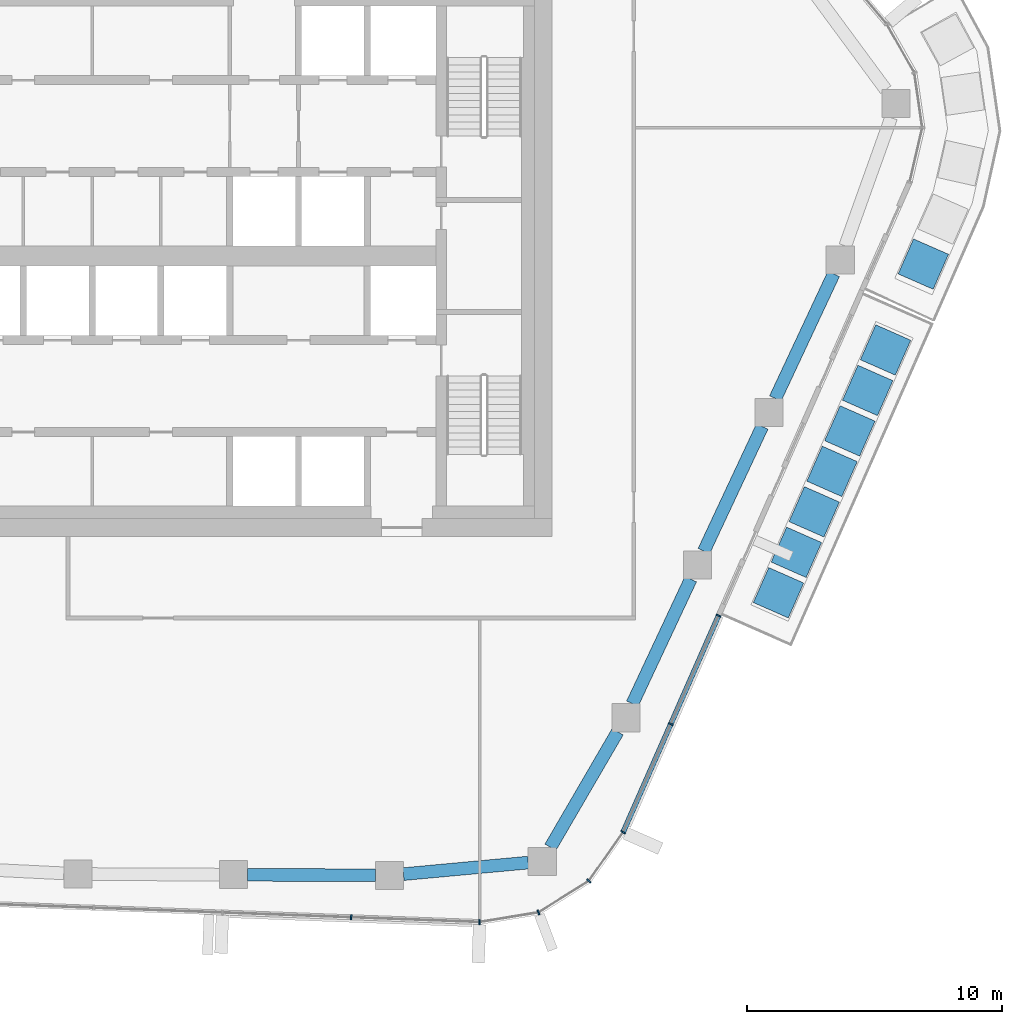
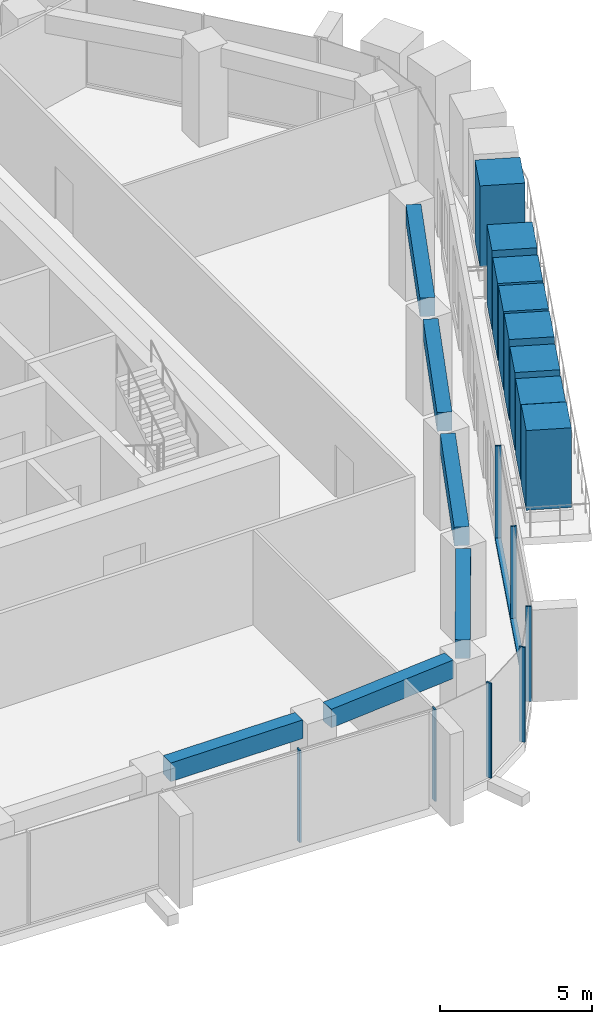
# One storey, part 5 of 21: 16 members, 6 beams, 3 elements without a shape of their own.
"""IFC4 building model written with IfcOpenShell, lengths in metres."""

from ifc_helpers import new_model, si_unit, direction, frame, origin, origin_2d, place, context, subcontext, project, spatial, rectangle, extrude, material, layer, layer_set, material_profile, profile_set, type_object, element, aggregate, save


model = new_model("IFC4")

# Units and contexts
model_context = context("Model", 3, precision=1e-05, world=origin(), true_north=direction((0.0, 1.0)))
body_context = subcontext(model_context, "Body", "Model", "MODEL_VIEW")
ifc_project = project(units=[si_unit("LENGTHUNIT", "METRE"), si_unit("AREAUNIT", "SQUARE_METRE"), si_unit("VOLUMEUNIT", "CUBIC_METRE"), si_unit("PLANEANGLEUNIT", "RADIAN"), si_unit("MASSUNIT", "GRAM", prefix="KILO")], contexts=[model_context])

# Site, building, storey
site_placement = place(None, origin())
site = spatial("IfcSite", under=ifc_project, at=site_placement, CompositionType="ELEMENT")
building_placement = place(site_placement, origin())
building = spatial("IfcBuilding", under=site, at=building_placement, Name="Dongbaek Canopy Tower", CompositionType="ELEMENT")
storey_placement = place(building_placement, frame((0.0, 0.0, 274.800048828125)))
storey = spatial("IfcBuildingStorey", under=building, at=storey_placement, Name="L58", CompositionType="ELEMENT", Elevation=274.800048828125)

# Curtain wall, members
ifc_material_1 = material(Name="Aluminium 6063-T6 pale anodised", Category="aluminium")
ifc_layer = layer(ifc_material_1, 0.199951171875)
ifc_layer_set = layer_set([ifc_layer], Name="CW-1 unitised tower curtain wall")
curtain_wall_type = type_object("IfcCurtainWallType", Name="CW-1 unitised tower curtain wall", PredefinedType="NOTDEFINED", material=ifc_layer_set)
curtain_wall_1_placement = place(storey_placement, origin())
curtain_wall_1 = element("IfcCurtainWall", 1, at=curtain_wall_1_placement, inside=storey, type_object=curtain_wall_type, Name="CW-1 curtain wall F4.1", PredefinedType="NOTDEFINED")
ifc_material_2 = material(Name="Aluminium 6063-T6 pale anodised", Category="aluminium")
ifc_material_profile_1 = material_profile(ifc_material_2, rectangle(XDim=0.199951171875, YDim=0.06005859375, at=origin_2d()), Name="CW-1 mullion 60 x 200")
ifc_profile_set_1 = profile_set([ifc_material_profile_1], Name="Aluminium 6063-T6 pale anodised")
member_type_1 = type_object("IfcMemberType", Name="CW-1 mullion 60 x 200", PredefinedType="MULLION", material=ifc_profile_set_1)
member_1_placement = place(storey_placement, frame((6.1162109375, -25.944091796875, 0.119873046875), z_axis=(0.0, 0.0, 1.0), x_axis=(-0.036873891921, -0.999319926798, 0.0)))
member_1 = element("IfcMember", 2, at=member_1_placement, type_object=member_type_1, Name="CW-1 mullion F4.1.4", PredefinedType="MULLION", context=body_context, shape_type="SweptSolid", body=[
    extrude(rectangle(XDim=0.199951171875, YDim=0.06005859375, at=origin_2d()), origin(), (0.0, 0.0, 1.0), 3.7001953125),
])
member_2_placement = place(storey_placement, frame((11.155029296875, -26.1298828125, 0.119873046875), z_axis=(0.0, 0.0, 1.0), x_axis=(-0.036873891921, -0.999319926798, 0.0)))
member_2 = element("IfcMember", 3, at=member_2_placement, type_object=member_type_1, Name="CW-1 mullion F4.1.5", PredefinedType="MULLION", context=body_context, shape_type="SweptSolid", body=[
    extrude(rectangle(XDim=0.199951171875, YDim=0.06005859375, at=origin_2d()), origin(), (0.0, 0.0, 1.0), 3.7001953125),
])
aggregate(curtain_wall_1, [member_1, member_2])

curtain_wall_2_placement = place(storey_placement, origin())
curtain_wall_2 = element("IfcCurtainWall", 4, at=curtain_wall_2_placement, inside=storey, type_object=curtain_wall_type, Name="CW-1 curtain wall K5.1", PredefinedType="NOTDEFINED")
member_3_placement = place(storey_placement, frame((13.4638671875, -25.7529296875, 0.0), z_axis=(0.0, 0.0, 1.0), x_axis=(0.352874596106, -0.9356706255, 0.0)))
member_3 = element("IfcMember", 5, at=member_3_placement, type_object=member_type_1, Name="CW-1 mullion K5.1.2", PredefinedType="MULLION", context=body_context, shape_type="SweptSolid", body=[
    extrude(rectangle(XDim=0.199951171875, YDim=0.06005859375, at=origin_2d()), origin(), (0.0, 0.0, 1.0), 3.820068359375),
])
member_4_placement = place(storey_placement, frame((15.43798828125, -24.516845703125, 0.0), z_axis=(0.0, 0.0, 1.0), x_axis=(0.687590485044, -0.726098701884, 0.0)))
member_4 = element("IfcMember", 6, at=member_4_placement, type_object=member_type_1, Name="CW-1 mullion K5.1.3", PredefinedType="MULLION", context=body_context, shape_type="SweptSolid", body=[
    extrude(rectangle(XDim=0.199951171875, YDim=0.06005859375, at=origin_2d()), origin(), (0.0, 0.0, 1.0), 3.820068359375),
])
member_5_placement = place(storey_placement, frame((16.78564453125, -22.604736328125, 0.0), z_axis=(0.0, 0.0, 1.0), x_axis=(0.817425439524, -0.576034418085, 0.0)))
member_5 = element("IfcMember", 7, at=member_5_placement, type_object=member_type_1, Name="CW-1 mullion K5.1.4", PredefinedType="MULLION", context=body_context, shape_type="SweptSolid", body=[
    extrude(rectangle(XDim=0.199951171875, YDim=0.06005859375, at=origin_2d()), origin(), (0.0, 0.0, 1.0), 3.820068359375),
])
aggregate(curtain_wall_2, [member_3, member_4, member_5])

curtain_wall_3_placement = place(storey_placement, origin())
curtain_wall_3 = element("IfcCurtainWall", 8, at=curtain_wall_3_placement, inside=storey, type_object=curtain_wall_type, Name="CW-1 curtain wall F5.1", PredefinedType="NOTDEFINED")
member_6_placement = place(storey_placement, frame((18.656005859375, -18.3603515625, 0.119873046875), z_axis=(0.0, 0.0, 1.0), x_axis=(0.915073119112, -0.403287969917, 0.0)))
member_6 = element("IfcMember", 9, at=member_6_placement, type_object=member_type_1, Name="CW-1 mullion F5.1.2", PredefinedType="MULLION", context=body_context, shape_type="SweptSolid", body=[
    extrude(rectangle(XDim=0.199951171875, YDim=0.06005859375, at=origin_2d()), origin(), (0.0, 0.0, 1.0), 3.7001953125),
])
member_7_placement = place(storey_placement, frame((20.530517578125, -14.107177734375, 0.119873046875), z_axis=(0.0, 0.0, 1.0), x_axis=(0.915073119112, -0.403287969917, 0.0)))
member_7 = element("IfcMember", 10, at=member_7_placement, type_object=member_type_1, Name="CW-1 mullion F5.1.3", PredefinedType="MULLION", context=body_context, shape_type="SweptSolid", body=[
    extrude(rectangle(XDim=0.199951171875, YDim=0.06005859375, at=origin_2d()), origin(), (0.0, 0.0, 1.0), 3.7001953125),
])
ifc_material_3 = material(Name="Aluminium 6063-T6 pale anodised", Category="aluminium")
ifc_material_profile_2 = material_profile(ifc_material_3, rectangle(XDim=0.199951171875, YDim=0.1201171875, at=origin_2d()), Name="CW-1 transom 120 x 200")
ifc_profile_set_2 = profile_set([ifc_material_profile_2], Name="Aluminium 6063-T6 pale anodised")
member_type_2 = type_object("IfcMemberType", Name="CW-1 transom 120 x 200", PredefinedType="USERDEFINED", material=ifc_profile_set_2)
member_8_placement = place(storey_placement, frame((16.78564453125, -22.604736328125, 0.06005859375), z_axis=(0.403275110691, 0.915078786278, 0.0), x_axis=(-0.915078786278, 0.403275110691, 0.0)))
member_8 = element("IfcMember", 11, at=member_8_placement, type_object=member_type_2, Name="CW-1 transom F5.1.1", ObjectType="TRANSOM", PredefinedType="USERDEFINED", context=body_context, shape_type="SweptSolid", body=[
    extrude(rectangle(XDim=0.199951171875, YDim=0.1201171875, at=origin_2d()), origin(), (0.0, 0.0, 1.0), 9.2861328125),
])
aggregate(curtain_wall_3, [member_6, member_7, member_8])

# Beams
ifc_material_4 = material(Name="Concrete C70", Category="concrete")
ifc_material_profile_3 = material_profile(ifc_material_4, rectangle(XDim=0.5, YDim=0.75, at=origin_2d()), Name="RC EDGE BEAM 500x750 C70")
ifc_profile_set_3 = profile_set([ifc_material_profile_3], Name="Concrete C70")
beam_type = type_object("IfcBeamType", Name="RC EDGE BEAM 500x750 C70", PredefinedType="BEAM", material=ifc_profile_set_3)
beam_1_placement = place(storey_placement, frame((13.06201171875, -23.796875, 3.445068359375), z_axis=(-0.995758214652, -0.092008575434, 0.0), x_axis=(0.092008575434, -0.995758214652, 0.0)))
element("IfcBeam", 12, at=beam_1_placement, inside=storey, type_object=beam_type, Name="EDGEBEAM:L58:00", PredefinedType="BEAM", context=body_context, shape_type="SweptSolid", body=[
    extrude(rectangle(XDim=0.5, YDim=0.75, at=origin_2d()), origin(), (0.0, 0.0, 1.0), 4.916748046875),
])
beam_2_placement = place(storey_placement, frame((7.06591796875, -24.297607421875, 3.445068359375), z_axis=(-0.999989301171, 0.004625747851, 0.0), x_axis=(-0.004625747851, -0.999989301171, 0.0)))
element("IfcBeam", 13, at=beam_2_placement, inside=storey, type_object=beam_type, Name="EDGEBEAM:L58:01", PredefinedType="BEAM", context=body_context, shape_type="SweptSolid", body=[
    extrude(rectangle(XDim=0.5, YDim=0.75, at=origin_2d()), origin(), (0.0, 0.0, 1.0), 5.013916015625),
])
beam_3_placement = place(storey_placement, frame((25.04443359375, -0.701904296875, 3.445068359375), z_axis=(-0.423972479832, -0.905675072167, 0.0), x_axis=(0.905675072167, -0.423972479832, 0.0)))
element("IfcBeam", 14, at=beam_3_placement, inside=storey, type_object=beam_type, Name="EDGEBEAM:L58:22", PredefinedType="BEAM", context=body_context, shape_type="SweptSolid", body=[
    extrude(rectangle(XDim=0.5, YDim=0.75, at=origin_2d()), origin(), (0.0, 0.0, 1.0), 5.396240234375),
])
beam_4_placement = place(storey_placement, frame((22.241455078125, -6.68896484375, 3.445068359375), z_axis=(-0.424105880993, -0.905612611279, 0.0), x_axis=(0.905612611279, -0.424105880993, 0.0)))
element("IfcBeam", 15, at=beam_4_placement, inside=storey, type_object=beam_type, Name="EDGEBEAM:L58:23", PredefinedType="BEAM", context=body_context, shape_type="SweptSolid", body=[
    extrude(rectangle(XDim=0.5, YDim=0.75, at=origin_2d()), origin(), (0.0, 0.0, 1.0), 5.3974609375),
])
beam_5_placement = place(storey_placement, frame((19.437255859375, -12.677001953125, 3.445068359375), z_axis=(-0.424249579949, -0.905545301966, 0.0), x_axis=(0.905545301966, -0.424249579949, 0.0)))
element("IfcBeam", 16, at=beam_5_placement, inside=storey, type_object=beam_type, Name="EDGEBEAM:L58:24", PredefinedType="BEAM", context=body_context, shape_type="SweptSolid", body=[
    extrude(rectangle(XDim=0.5, YDim=0.75, at=origin_2d()), origin(), (0.0, 0.0, 1.0), 5.396728515625),
])
beam_6_placement = place(storey_placement, frame((16.56982421875, -18.6640625, 3.445068359375), z_axis=(-0.503022590015, -0.864273263462, 0.0), x_axis=(0.864273263462, -0.503022590015, 0.0)))
element("IfcBeam", 17, at=beam_6_placement, inside=storey, type_object=beam_type, Name="EDGEBEAM:L58:25", PredefinedType="BEAM", context=body_context, shape_type="SweptSolid", body=[
    extrude(rectangle(XDim=0.5, YDim=0.75, at=origin_2d()), origin(), (0.0, 0.0, 1.0), 5.24365234375),
])

# Members
ifc_material_5 = material(Name="Concrete C40/50 planter mass with planting", Category="concrete")
ifc_material_profile_4 = material_profile(ifc_material_5, rectangle(XDim=1.5, YDim=1.5, at=origin_2d()), Name="Terrace PLANTER shrub mass 1500 x 1500")
ifc_profile_set_4 = profile_set([ifc_material_profile_4], Name="Concrete C40/50 planter mass with planting")
member_type_3 = type_object("IfcMemberType", Name="Terrace PLANTER shrub mass 1500 x 1500", PredefinedType="USERDEFINED", material=ifc_profile_set_4)
member_9_placement = place(storey_placement, frame((22.88134765625, -13.211669921875, 0.419921875), z_axis=(0.0, 0.0, 1.0), x_axis=(0.915073119112, -0.403287969917, 0.0)))
element("IfcMember", 18, at=member_9_placement, inside=storey, type_object=member_type_3, Name="Planter shrubs L58 3.1", ObjectType="PLANTER", PredefinedType="USERDEFINED", context=body_context, shape_type="SweptSolid", body=[
    extrude(rectangle(XDim=1.5, YDim=1.5, at=origin_2d()), origin(), (0.0, 0.0, 1.0), 3.2099609375),
])
member_10_placement = place(storey_placement, frame((23.5810546875, -11.6240234375, 0.419921875), z_axis=(0.0, 0.0, 1.0), x_axis=(0.915073119112, -0.403287969917, 0.0)))
element("IfcMember", 19, at=member_10_placement, inside=storey, type_object=member_type_3, Name="Planter shrubs L58 3.2", ObjectType="PLANTER", PredefinedType="USERDEFINED", context=body_context, shape_type="SweptSolid", body=[
    extrude(rectangle(XDim=1.5, YDim=1.5, at=origin_2d()), origin(), (0.0, 0.0, 1.0), 3.050048828125),
])
member_11_placement = place(storey_placement, frame((24.28076171875, -10.03662109375, 0.419921875), z_axis=(0.0, 0.0, 1.0), x_axis=(0.915073119112, -0.403287969917, 0.0)))
element("IfcMember", 20, at=member_11_placement, inside=storey, type_object=member_type_3, Name="Planter shrubs L58 3.3", ObjectType="PLANTER", PredefinedType="USERDEFINED", context=body_context, shape_type="SweptSolid", body=[
    extrude(rectangle(XDim=1.5, YDim=1.5, at=origin_2d()), origin(), (0.0, 0.0, 1.0), 3.130126953125),
])
member_12_placement = place(storey_placement, frame((24.980224609375, -8.448974609375, 0.419921875), z_axis=(0.0, 0.0, 1.0), x_axis=(0.915073119112, -0.403287969917, 0.0)))
element("IfcMember", 21, at=member_12_placement, inside=storey, type_object=member_type_3, Name="Planter shrubs L58 3.4", ObjectType="PLANTER", PredefinedType="USERDEFINED", context=body_context, shape_type="SweptSolid", body=[
    extrude(rectangle(XDim=1.5, YDim=1.5, at=origin_2d()), origin(), (0.0, 0.0, 1.0), 3.25),
])
member_13_placement = place(storey_placement, frame((25.679931640625, -6.861328125, 0.419921875), z_axis=(0.0, 0.0, 1.0), x_axis=(0.915073119112, -0.403287969917, 0.0)))
element("IfcMember", 22, at=member_13_placement, inside=storey, type_object=member_type_3, Name="Planter shrubs L58 3.5", ObjectType="PLANTER", PredefinedType="USERDEFINED", context=body_context, shape_type="SweptSolid", body=[
    extrude(rectangle(XDim=1.5, YDim=1.5, at=origin_2d()), origin(), (0.0, 0.0, 1.0), 3.169921875),
])
member_14_placement = place(storey_placement, frame((26.379638671875, -5.27392578125, 0.419921875), z_axis=(0.0, 0.0, 1.0), x_axis=(0.915073119112, -0.403287969917, 0.0)))
element("IfcMember", 23, at=member_14_placement, inside=storey, type_object=member_type_3, Name="Planter shrubs L58 3.6", ObjectType="PLANTER", PredefinedType="USERDEFINED", context=body_context, shape_type="SweptSolid", body=[
    extrude(rectangle(XDim=1.5, YDim=1.5, at=origin_2d()), origin(), (0.0, 0.0, 1.0), 3.090087890625),
])
member_15_placement = place(storey_placement, frame((27.079345703125, -3.686279296875, 0.419921875), z_axis=(0.0, 0.0, 1.0), x_axis=(0.915073119112, -0.403287969917, 0.0)))
element("IfcMember", 24, at=member_15_placement, inside=storey, type_object=member_type_3, Name="Planter shrubs L58 3.7", ObjectType="PLANTER", PredefinedType="USERDEFINED", context=body_context, shape_type="SweptSolid", body=[
    extrude(rectangle(XDim=1.5, YDim=1.5, at=origin_2d()), origin(), (0.0, 0.0, 1.0), 3.2099609375),
])
member_16_placement = place(storey_placement, frame((28.562255859375, -0.31689453125, 0.419921875), z_axis=(0.0, 0.0, 1.0), x_axis=(0.915837500878, -0.40154909038, 0.0)))
element("IfcMember", 25, at=member_16_placement, inside=storey, type_object=member_type_3, Name="Planter shrubs L58 4.1", ObjectType="PLANTER", PredefinedType="USERDEFINED", context=body_context, shape_type="SweptSolid", body=[
    extrude(rectangle(XDim=1.5, YDim=1.5, at=origin_2d()), origin(), (0.0, 0.0, 1.0), 3.25),
])

save(model, "model.ifc")
